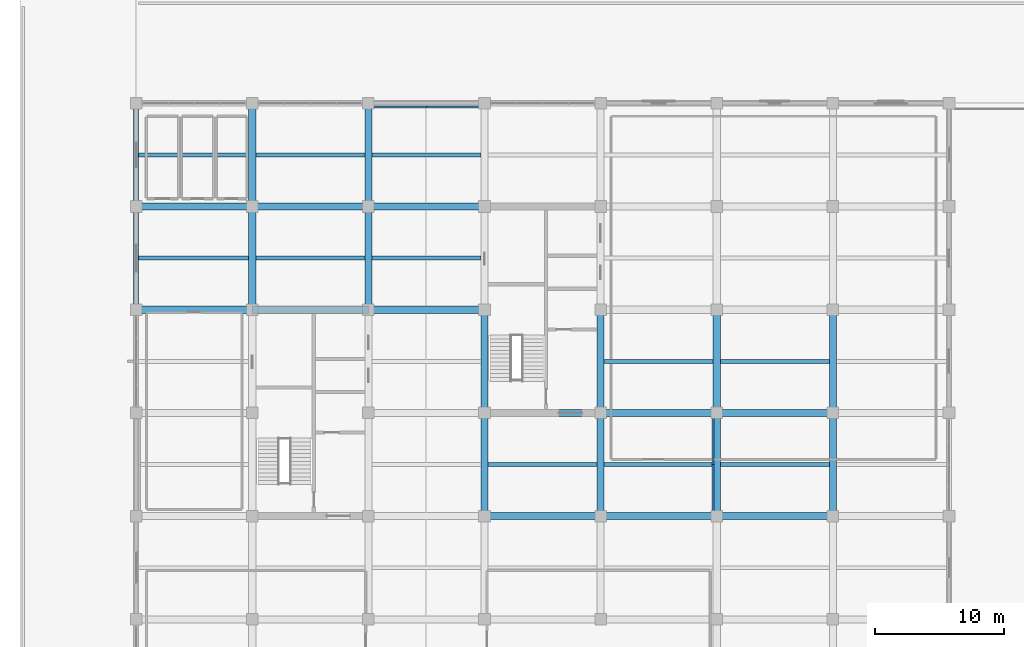
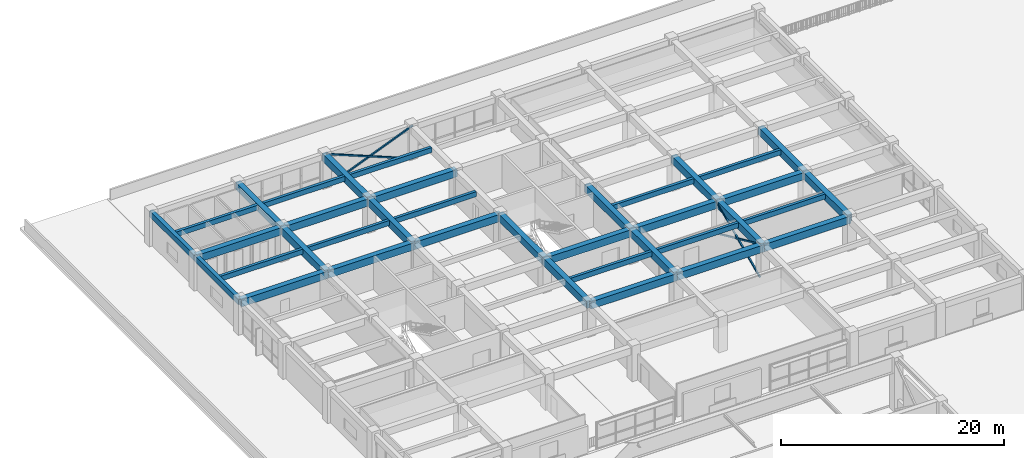
# One storey, part 8 of 34: 37 beams, 4 members.
"""IFC4 building model written with IfcOpenShell, lengths in metres."""

from ifc_helpers import new_model, si_unit, direction, frame, origin, origin_2d, place, context, subcontext, project, spatial, rectangle, hollow_rectangle, extrude, material, material_profile, profile_set, type_object, element, save


model = new_model("IFC4")

# Units and contexts
model_context = context("Model", 3, precision=1e-05, world=origin(), true_north=direction((0.0, 1.0)))
body_context = subcontext(model_context, "Body", "Model", "MODEL_VIEW")
ifc_project = project(units=[si_unit("LENGTHUNIT", "METRE"), si_unit("AREAUNIT", "SQUARE_METRE"), si_unit("VOLUMEUNIT", "CUBIC_METRE"), si_unit("PLANEANGLEUNIT", "RADIAN"), si_unit("MASSUNIT", "GRAM", prefix="KILO")], contexts=[model_context])

# Site, building, storey
site_placement = place(None, origin())
site = spatial("IfcSite", under=ifc_project, at=site_placement, CompositionType="ELEMENT")
building_placement = place(site_placement, origin())
building = spatial("IfcBuilding", under=site, at=building_placement, Name="Zaverband Oceanarium and Marine Research Institute", CompositionType="ELEMENT")
storey_placement = place(building_placement, frame((0.0, 0.0, 18.0)))
storey = spatial("IfcBuildingStorey", under=building, at=storey_placement, Name="L04", CompositionType="ELEMENT", Elevation=18.0)

# Beams
ifc_material_1 = material(Name="Concrete C40/50", Category="concrete")
ifc_material_profile_1 = material_profile(ifc_material_1, rectangle(XDim=0.550048828125, YDim=0.800048828125, at=origin_2d()), Name="RC550x800")
ifc_profile_set_1 = profile_set([ifc_material_profile_1], Name="Concrete C40/50")
beam_type_1 = type_object("IfcBeamType", Name="BM-550x800", PredefinedType="BEAM", material=ifc_profile_set_1)
for number, where, z_axis, x_axis, name in (
    (1, (36.0, 80.0, 3.25), (1.0, 0.0, 0.0), (0.0, 1.0, 0.0), "Primary floor girder BM-550x800"),
    (2, (45.0, 80.0, 3.25), (1.0, 0.0, 0.0), (0.0, 1.0, 0.0), "Primary floor girder BM-550x800"),
    (3, (54.0, 80.0, 3.25), (1.0, 0.0, 0.0), (0.0, 1.0, 0.0), "Primary floor girder BM-550x800"),
    (4, (36.0, 88.0, 3.25), (1.0, 0.0, 0.0), (0.0, 1.0, 0.0), "Primary floor girder BM-550x800"),
    (5, (45.0, 88.0, 3.25), (1.0, 0.0, 0.0), (0.0, 1.0, 0.0), "Primary floor girder BM-550x800"),
    (6, (54.0, 88.0, 3.25), (1.0, 0.0, 0.0), (0.0, 1.0, 0.0), "Primary floor girder BM-550x800"),
    (7, (9.0, 96.0, 3.25), (1.0, 0.0, 0.0), (0.0, 1.0, 0.0), "Primary floor girder BM-550x800"),
    (8, (18.0, 96.0, 3.25), (1.0, 0.0, 0.0), (0.0, 1.0, 0.0), "Primary floor girder BM-550x800"),
    (9, (27.0, 96.0, 3.25), (1.0, 0.0, 0.0), (0.0, 1.0, 0.0), "Primary floor girder BM-550x800"),
    (10, (9.0, 104.0, 3.25), (1.0, 0.0, 0.0), (0.0, 1.0, 0.0), "Primary floor girder BM-550x800"),
    (11, (18.0, 104.0, 3.25), (1.0, 0.0, 0.0), (0.0, 1.0, 0.0), "Primary floor girder BM-550x800"),
    (12, (27.0, 104.0, 3.25), (1.0, 0.0, 0.0), (0.0, 1.0, 0.0), "Primary floor girder BM-550x800"),
):
    element("IfcBeam", number, at=place(storey_placement, frame(where, z_axis=z_axis, x_axis=x_axis)), inside=storey, type_object=beam_type_1, Name=name, PredefinedType="BEAM", context=body_context, shape_type="SweptSolid", body=[
        extrude(rectangle(XDim=0.550048828125, YDim=0.800048828125, at=origin_2d()), origin(), (0.0, 0.0, 1.0), 9.0),
    ])
for number, where, z_axis, x_axis, name in (
    (13, (18.0, 96.0, 3.25), (0.0, 1.0, 0.0), (-1.0, 0.0, 0.0), "Primary floor girder BM-550x800"),
    (14, (18.0, 104.0, 3.25), (0.0, 1.0, 0.0), (-1.0, 0.0, 0.0), "Primary floor girder BM-550x800"),
    (15, (27.0, 96.0, 3.25), (0.0, 1.0, 0.0), (-1.0, 0.0, 0.0), "Primary floor girder BM-550x800"),
    (16, (27.0, 104.0, 3.25), (0.0, 1.0, 0.0), (-1.0, 0.0, 0.0), "Primary floor girder BM-550x800"),
    (17, (36.0, 80.0, 3.25), (0.0, 1.0, 0.0), (-1.0, 0.0, 0.0), "Primary floor girder BM-550x800"),
    (18, (36.0, 88.0, 3.25), (0.0, 1.0, 0.0), (-1.0, 0.0, 0.0), "Primary floor girder BM-550x800"),
    (19, (45.0, 80.0, 3.25), (0.0, 1.0, 0.0), (-1.0, 0.0, 0.0), "Primary floor girder BM-550x800"),
    (20, (45.0, 88.0, 3.25), (0.0, 1.0, 0.0), (-1.0, 0.0, 0.0), "Primary floor girder BM-550x800"),
    (21, (54.0, 80.0, 3.25), (0.0, 1.0, 0.0), (-1.0, 0.0, 0.0), "Primary floor girder BM-550x800"),
    (22, (54.0, 88.0, 3.25), (0.0, 1.0, 0.0), (-1.0, 0.0, 0.0), "Primary floor girder BM-550x800"),
    (23, (63.0, 80.0, 3.25), (0.0, 1.0, 0.0), (-1.0, 0.0, 0.0), "Primary floor girder BM-550x800"),
    (24, (63.0, 88.0, 3.25), (0.0, 1.0, 0.0), (-1.0, 0.0, 0.0), "Primary floor girder BM-550x800"),
):
    element("IfcBeam", number, at=place(storey_placement, frame(where, z_axis=z_axis, x_axis=x_axis)), inside=storey, type_object=beam_type_1, Name=name, PredefinedType="BEAM", context=body_context, shape_type="SweptSolid", body=[
        extrude(rectangle(XDim=0.550048828125, YDim=0.800048828125, at=origin_2d()), origin(), (0.0, 0.0, 1.0), 8.0),
    ])

# Members
ifc_material_2 = material(Name="Steel S355", Category="steel")
ifc_material_profile_2 = material_profile(ifc_material_2, hollow_rectangle(XDim=0.14990234375, YDim=0.14990234375, WallThickness=0.008056640625, at=origin_2d()), Name="SHS150x150x8")
ifc_profile_set_2 = profile_set([ifc_material_profile_2], Name="Steel S355")
member_type = type_object("IfcMemberType", Name="BR-04", PredefinedType="BRACE", material=ifc_profile_set_2)
for number, where, z_axis, x_axis, name in (
    (25, (53.719970703125, 80.0, 0.0), (0.0, 0.909785572369, 0.415078561612), (-1.0, 0.0, 0.0), "Diagonal lateral brace BR-04"),
    (26, (53.719970703125, 88.0, 0.0), (0.0, -0.909785572369, 0.415078561612), (1.0, 0.0, 0.0), "Diagonal lateral brace BR-04"),
):
    element("IfcMember", number, at=place(storey_placement, frame(where, z_axis=z_axis, x_axis=x_axis)), inside=storey, type_object=member_type, Name=name, PredefinedType="BRACE", context=body_context, shape_type="SweptSolid", body=[
        extrude(hollow_rectangle(XDim=0.14990234375, YDim=0.14990234375, WallThickness=0.008056640625, at=origin_2d()), origin(), (0.0, 0.0, 1.0), 8.793212890625),
    ])
for number, where, z_axis, x_axis, name in (
    (27, (27.0, 111.719970703125, 0.0), (0.92669431564, 0.0, 0.375815972733), (0.0, 1.0, 0.0), "Diagonal lateral brace BR-04"),
    (28, (36.0, 111.719970703125, 0.0), (-0.92669431564, 0.0, 0.375815972733), (0.0, -1.0, 0.0), "Diagonal lateral brace BR-04"),
):
    element("IfcMember", number, at=place(storey_placement, frame(where, z_axis=z_axis, x_axis=x_axis)), inside=storey, type_object=member_type, Name=name, PredefinedType="BRACE", context=body_context, shape_type="SweptSolid", body=[
        extrude(hollow_rectangle(XDim=0.14990234375, YDim=0.14990234375, WallThickness=0.008056640625, at=origin_2d()), origin(), (0.0, 0.0, 1.0), 9.7119140625),
    ])

# Beams
ifc_material_profile_3 = material_profile(ifc_material_1, rectangle(XDim=0.300048828125, YDim=0.550048828125, at=origin_2d()), Name="RC300x550")
ifc_profile_set_3 = profile_set([ifc_material_profile_3], Name="Concrete C40/50")
beam_type_2 = type_object("IfcBeamType", Name="JST-300x550", PredefinedType="JOIST", material=ifc_profile_set_3)
for number, where, z_axis, x_axis, name in (
    (29, (9.199951171875, 100.0, 3.375), (1.0, 0.0, 0.0), (0.0, 1.0, 0.0), "Secondary floor joist JST-300x550"),
    (30, (9.199951171875, 108.0, 3.375), (1.0, 0.0, 0.0), (0.0, 1.0, 0.0), "Secondary floor joist JST-300x550"),
):
    element("IfcBeam", number, at=place(storey_placement, frame(where, z_axis=z_axis, x_axis=x_axis)), inside=storey, type_object=beam_type_2, Name=name, PredefinedType="JOIST", context=body_context, shape_type="SweptSolid", body=[
        extrude(rectangle(XDim=0.300048828125, YDim=0.550048828125, at=origin_2d()), origin(), (0.0, 0.0, 1.0), 8.525146484375),
    ])
for number, where, z_axis, x_axis, name in (
    (31, (18.27490234375, 100.0, 3.375), (1.0, 0.0, 0.0), (0.0, 1.0, 0.0), "Secondary floor joist JST-300x550"),
    (32, (18.27490234375, 108.0, 3.375), (1.0, 0.0, 0.0), (0.0, 1.0, 0.0), "Secondary floor joist JST-300x550"),
    (33, (27.27490234375, 100.0, 3.375), (1.0, 0.0, 0.0), (0.0, 1.0, 0.0), "Secondary floor joist JST-300x550"),
    (34, (27.27490234375, 108.0, 3.375), (1.0, 0.0, 0.0), (0.0, 1.0, 0.0), "Secondary floor joist JST-300x550"),
    (35, (36.27490234375, 84.0, 3.375), (1.0, 0.0, 0.0), (0.0, 1.0, 0.0), "Secondary floor joist JST-300x550"),
    (36, (45.27490234375, 84.0, 3.375), (1.0, 0.0, 0.0), (0.0, 1.0, 0.0), "Secondary floor joist JST-300x550"),
    (37, (45.27490234375, 92.0, 3.375), (1.0, 0.0, 0.0), (0.0, 1.0, 0.0), "Secondary floor joist JST-300x550"),
    (38, (54.27490234375, 84.0, 3.375), (1.0, 0.0, 0.0), (0.0, 1.0, 0.0), "Secondary floor joist JST-300x550"),
    (39, (54.27490234375, 92.0, 3.375), (1.0, 0.0, 0.0), (0.0, 1.0, 0.0), "Secondary floor joist JST-300x550"),
):
    element("IfcBeam", number, at=place(storey_placement, frame(where, z_axis=z_axis, x_axis=x_axis)), inside=storey, type_object=beam_type_2, Name=name, PredefinedType="JOIST", context=body_context, shape_type="SweptSolid", body=[
        extrude(rectangle(XDim=0.300048828125, YDim=0.550048828125, at=origin_2d()), origin(), (0.0, 0.0, 1.0), 8.4501953125),
    ])
ifc_material_profile_4 = material_profile(ifc_material_1, rectangle(XDim=0.39990234375, YDim=0.64990234375, at=origin_2d()), Name="RC400x650")
ifc_profile_set_4 = profile_set([ifc_material_profile_4], Name="Concrete C40/50")
beam_type_3 = type_object("IfcBeamType", Name="SPN-400x650", PredefinedType="SPANDREL", material=ifc_profile_set_4)
for number, where, z_axis, x_axis, name in (
    (40, (9.0, 96.0, 3.324951171875), (0.0, 1.0, 0.0), (-1.0, 0.0, 0.0), "Perimeter spandrel beam SPN-400x650"),
    (41, (9.0, 104.0, 3.324951171875), (0.0, 1.0, 0.0), (-1.0, 0.0, 0.0), "Perimeter spandrel beam SPN-400x650"),
):
    element("IfcBeam", number, at=place(storey_placement, frame(where, z_axis=z_axis, x_axis=x_axis)), inside=storey, type_object=beam_type_3, Name=name, PredefinedType="SPANDREL", context=body_context, shape_type="SweptSolid", body=[
        extrude(rectangle(XDim=0.39990234375, YDim=0.64990234375, at=origin_2d()), origin(), (0.0, 0.0, 1.0), 8.0),
    ])

save(model, "model.ifc")
